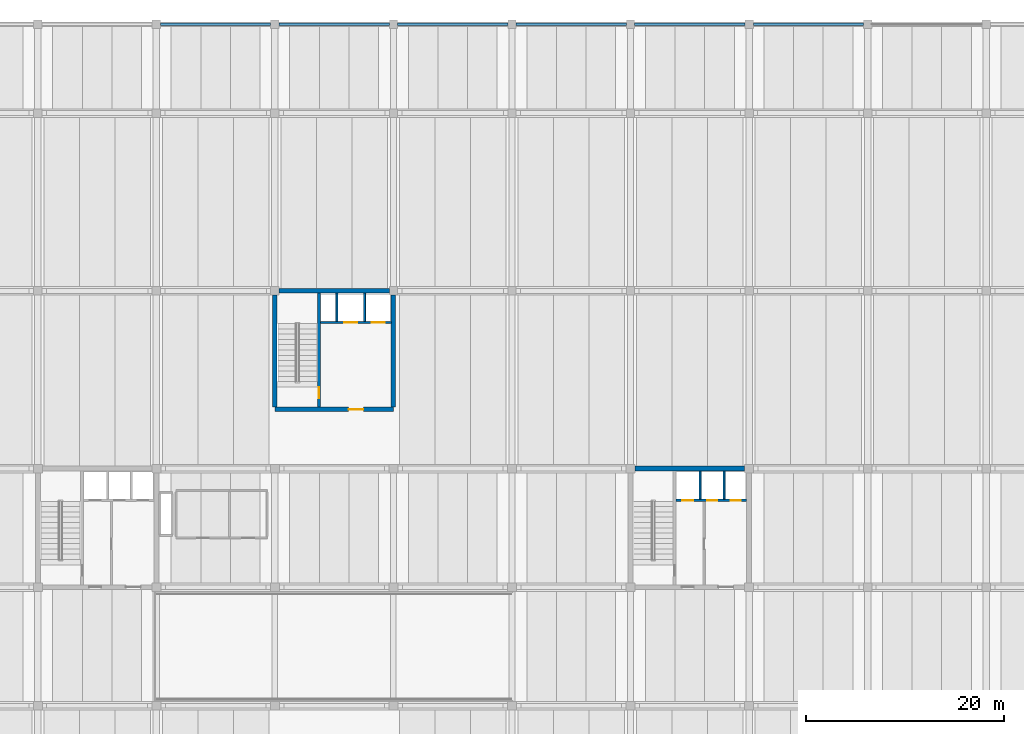
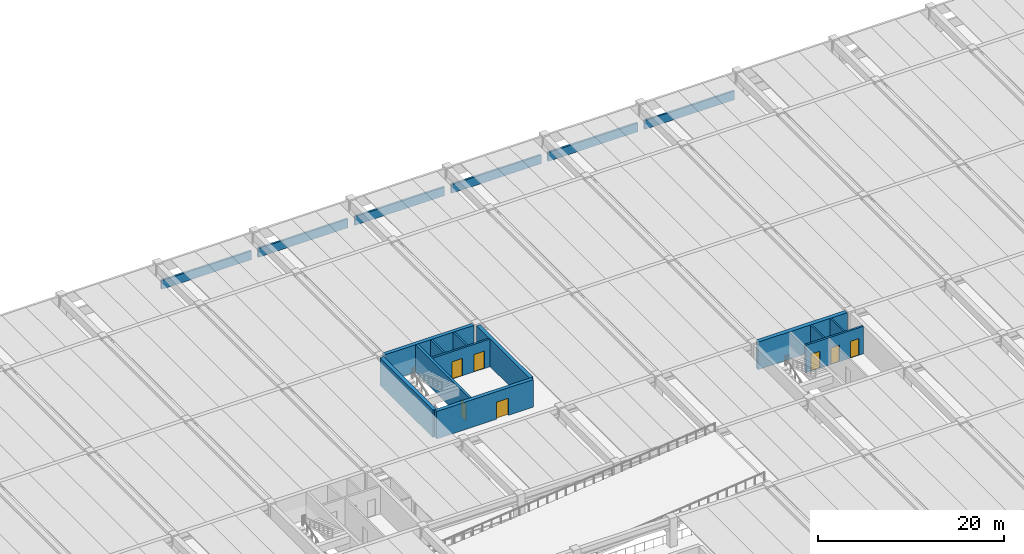
# One storey, part 11 of 19: 18 walls, 7 doors, 7 openings.
"""IFC4 building model written with IfcOpenShell, lengths in metres."""

from ifc_helpers import new_model, si_unit, direction, frame, frame_2d, origin, place, context, subcontext, project, spatial, rectangle, extrude, material, layer, layer_set, type_object, element, fill, save


model = new_model("IFC4")

# Units and contexts
model_context = context("Model", 3, precision=1e-05, world=origin(), true_north=direction((0.0, 1.0)))
body_context = subcontext(model_context, "Body", "Model", "MODEL_VIEW")
ifc_project = project(units=[si_unit("LENGTHUNIT", "METRE"), si_unit("AREAUNIT", "SQUARE_METRE"), si_unit("VOLUMEUNIT", "CUBIC_METRE"), si_unit("PLANEANGLEUNIT", "RADIAN"), si_unit("MASSUNIT", "GRAM", prefix="KILO")], contexts=[model_context])

# Site, building, storey
site_placement = place(None, origin())
site = spatial("IfcSite", under=ifc_project, at=site_placement, CompositionType="ELEMENT")
building_placement = place(site_placement, origin())
building = spatial("IfcBuilding", under=site, at=building_placement, Name="Girod Span Mobility Hub", CompositionType="ELEMENT")
storey_placement = place(building_placement, frame((0.0, 0.0, 13.39990234375)))
storey = spatial("IfcBuildingStorey", under=building, at=storey_placement, Name="L03", CompositionType="ELEMENT", Elevation=13.39990234375)

# Wall, opening, door
ifc_material_1 = material(Name="Concrete C40/50", Category="concrete")
ifc_layer_1 = layer(ifc_material_1, 0.449951171875)
ifc_layer_set_1 = layer_set([ifc_layer_1], Name="Concrete C40/50")
wall_type_1 = type_object("IfcWallType", Name="W-CW-450", PredefinedType="SHEAR", material=ifc_layer_set_1)
wall_1_placement = place(storey_placement, frame((72.0, 75.0, 0.0), z_axis=(0.0, 0.0, 1.0), x_axis=(1.0, 0.0, 0.0)))
wall_1 = element("IfcWall", 1, at=wall_1_placement, inside=storey, type_object=wall_type_1, Name="Core C4 Shear Wall S L03", PredefinedType="SHEAR", context=body_context, shape_type="SweptSolid", body=[
    extrude(rectangle(XDim=12.0, YDim=0.449951171875, at=frame_2d((6.0, 0.0))), origin(), (0.0, 0.0, 1.0), 3.6181640625),
])
opening_1_placement = place(wall_1_placement, frame((7.449951171875, 0.0, 0.0)))
opening_1 = element("IfcOpeningElement", 2, at=opening_1_placement, cuts=wall_1, Name="Opening D-LB-C4-L03", PredefinedType="OPENING", context=body_context, shape_type="SweptSolid", body=[
    extrude(rectangle(XDim=1.5, YDim=2.25, at=frame_2d((0.75, 1.125))), frame((0.0, 0.239990234375, 0.0), z_axis=(0.0, -1.0, 0.0), x_axis=(1.0, 0.0, 0.0)), (0.0, 0.0, 1.0), 0.47998046875),
])
ifc_material_2 = material(Name="Fire-Rated Insulated Hollow Metal Steel", Category="steel")
door_type_1 = type_object("IfcDoorType", Name="DT-FD-03", OperationType="DOUBLE_DOOR_SINGLE_SWING", PredefinedType="DOOR", material=ifc_material_2)
door_1_placement = place(opening_1_placement, origin())
door_1 = element("IfcDoor", 3, at=door_1_placement, inside=storey, type_object=door_type_1, Name="Core C4 Cargo Lift Lobby Door L03", OperationType="DOUBLE_DOOR_SINGLE_SWING", OverallHeight=2.25, OverallWidth=1.5, PredefinedType="DOOR", context=body_context, shape_type="SweptSolid", body=[
    extrude(rectangle(XDim=1.5, YDim=2.25, at=frame_2d((0.75, 1.125))), frame((0.0, 0.02490234375, 0.0), z_axis=(0.0, -1.0, 0.0), x_axis=(1.0, 0.0, 0.0)), (0.0, 0.0, 1.0), 0.050048828125),
])
fill(opening_1, door_1)

# Walls
wall_2_placement = place(storey_placement, frame((72.422119140625, 87.0, 0.0), z_axis=(0.0, 0.0, 1.0), x_axis=(1.0, 0.0, 0.0)))
element("IfcWall", 4, at=wall_2_placement, inside=storey, type_object=wall_type_1, Name="Core C4 Shear Wall N L03", PredefinedType="SHEAR", context=body_context, shape_type="SweptSolid", body=[
    extrude(rectangle(XDim=11.15576171875, YDim=0.449951171875, at=frame_2d((5.577880859375, 0.0))), origin(), (0.0, 0.0, 1.0), 3.6181640625),
])
for number, where, z_axis, x_axis, name in (
    (5, (72.0, 75.221923828125, 0.0), (0.0, 0.0, 1.0), (0.0, 1.0, 0.0), "Core C4 Shear Wall W L03"),
    (6, (84.0, 75.221923828125, 0.0), (0.0, 0.0, 1.0), (0.0, 1.0, 0.0), "Core C4 Shear Wall E L03"),
):
    element("IfcWall", number, at=place(storey_placement, frame(where, z_axis=z_axis, x_axis=x_axis)), inside=storey, type_object=wall_type_1, Name=name, PredefinedType="SHEAR", context=body_context, shape_type="SweptSolid", body=[
        extrude(rectangle(XDim=11.35595703125, YDim=0.449951171875, at=frame_2d((5.677978515625, 0.0))), origin(), (0.0, 0.0, 1.0), 3.6181640625),
    ])
ifc_material_3 = material(Name="Concrete C40/50", Category="concrete")
ifc_layer_2 = layer(ifc_material_3, 0.5)
ifc_layer_set_2 = layer_set([ifc_layer_2], Name="Concrete C40/50")
wall_type_2 = type_object("IfcWallType", Name="W-CW-500", PredefinedType="SHEAR", material=ifc_layer_set_2)
wall_3_placement = place(storey_placement, frame((108.447021484375, 69.0, 0.0), z_axis=(0.0, 0.0, 1.0), x_axis=(1.0, 0.0, 0.0)))
element("IfcWall", 7, at=wall_3_placement, inside=storey, type_object=wall_type_2, Name="Core C2 Shear Wall N L03", PredefinedType="SHEAR", context=body_context, shape_type="SweptSolid", body=[
    extrude(rectangle(XDim=11.10595703125, YDim=0.5, at=frame_2d((5.552978515625, 0.0))), origin(), (0.0, 0.0, 1.0), 3.6181640625),
])
ifc_material_4 = material(Name="Precast Architectural Concrete C40/50", Category="concrete")
ifc_layer_3 = layer(ifc_material_4, 0.239990234375)
ifc_layer_set_3 = layer_set([ifc_layer_3], Name="Precast Architectural Concrete C40/50")
wall_type_3 = type_object("IfcWallType", Name="W-PAR-240", PredefinedType="PARAPET", material=ifc_layer_set_3)
for number, where, z_axis, x_axis, name in (
    (8, (60.423095703125, 114.0, 0.0), (0.0, 0.0, 1.0), (1.0, 0.0, 0.0), "Precast Parking Barrier Parapet N-6 L03"),
    (9, (72.423095703125, 114.0, 0.0), (0.0, 0.0, 1.0), (1.0, 0.0, 0.0), "Precast Parking Barrier Parapet N-7 L03"),
    (10, (84.423095703125, 114.0, 0.0), (0.0, 0.0, 1.0), (1.0, 0.0, 0.0), "Precast Parking Barrier Parapet N-8 L03"),
    (11, (96.423095703125, 114.0, 0.0), (0.0, 0.0, 1.0), (1.0, 0.0, 0.0), "Precast Parking Barrier Parapet N-9 L03"),
    (12, (108.423095703125, 114.0, 0.0), (0.0, 0.0, 1.0), (1.0, 0.0, 0.0), "Precast Parking Barrier Parapet N-10 L03"),
    (13, (120.423095703125, 114.0, 0.0), (0.0, 0.0, 1.0), (1.0, 0.0, 0.0), "Precast Parking Barrier Parapet N-11 L03"),
):
    element("IfcWall", number, at=place(storey_placement, frame(where, z_axis=z_axis, x_axis=x_axis)), inside=storey, type_object=wall_type_3, Name=name, PredefinedType="PARAPET", context=body_context, shape_type="SweptSolid", body=[
        extrude(rectangle(XDim=11.15380859375, YDim=0.239990234375, at=frame_2d((5.576904296875, 0.0))), origin(), (0.0, 0.0, 1.0), 1.150146484375),
    ])
ifc_material_5 = material(Name="Concrete C40/50", Category="concrete")
ifc_layer_4 = layer(ifc_material_5, 0.199951171875)
ifc_layer_set_4 = layer_set([ifc_layer_4], Name="Concrete C40/50")
wall_type_4 = type_object("IfcWallType", Name="W-SH-200", PredefinedType="SOLIDWALL", material=ifc_layer_set_4)
for number, where, z_axis, x_axis, name in (
    (14, (115.050048828125, 65.919921875, 0.0), (0.0, 0.0, 1.0), (0.0, 1.0, 0.0), "Core C2 Shaft Divider 1 L03"),
    (15, (117.47998046875, 65.919921875, 0.0), (0.0, 0.0, 1.0), (0.0, 1.0, 0.0), "Core C2 Shaft Divider 2 L03"),
):
    element("IfcWall", number, at=place(storey_placement, frame(where, z_axis=z_axis, x_axis=x_axis)), inside=storey, type_object=wall_type_4, Name=name, PredefinedType="SOLIDWALL", context=body_context, shape_type="SweptSolid", body=[
        extrude(rectangle(XDim=2.830078125, YDim=0.199951171875, at=frame_2d((1.4150390625, 0.0))), origin(), (0.0, 0.0, 1.0), 3.608154296875),
    ])
for number, where, z_axis, x_axis, name in (
    (16, (78.280029296875, 83.919921875, 0.0), (0.0, 0.0, 1.0), (0.0, 1.0, 0.0), "Core C4 Shaft Divider 1 L03"),
    (17, (81.080078125, 83.919921875, 0.0), (0.0, 0.0, 1.0), (0.0, 1.0, 0.0), "Core C4 Shaft Divider 2 L03"),
):
    element("IfcWall", number, at=place(storey_placement, frame(where, z_axis=z_axis, x_axis=x_axis)), inside=storey, type_object=wall_type_4, Name=name, PredefinedType="SOLIDWALL", context=body_context, shape_type="SweptSolid", body=[
        extrude(rectangle(XDim=2.85498046875, YDim=0.199951171875, at=frame_2d((1.427490234375, 0.0))), origin(), (0.0, 0.0, 1.0), 3.608154296875),
    ])

# Wall, openings, doors
ifc_material_6 = material(Name="Concrete C40/50", Category="concrete")
ifc_layer_5 = layer(ifc_material_6, 0.25)
ifc_layer_set_5 = layer_set([ifc_layer_5], Name="Concrete C40/50")
wall_type_5 = type_object("IfcWallType", Name="W-SH-250", PredefinedType="SOLIDWALL", material=ifc_layer_set_5)
wall_4_placement = place(storey_placement, frame((112.596923828125, 65.800048828125, 0.0), z_axis=(0.0, 0.0, 1.0), x_axis=(1.0, 0.0, 0.0)))
wall_4 = element("IfcWall", 18, at=wall_4_placement, inside=storey, type_object=wall_type_5, Name="Core C2 Hoistway Front Wall L03", PredefinedType="SOLIDWALL", context=body_context, shape_type="SweptSolid", body=[
    extrude(rectangle(XDim=7.156005859375, YDim=0.25, at=frame_2d((3.578125, 0.0))), origin(), (0.0, 0.0, 1.0), 3.6181640625),
])
opening_2_placement = place(wall_4_placement, frame((0.653076171875, 0.0, 0.0)))
opening_2 = element("IfcOpeningElement", 19, at=opening_2_placement, cuts=wall_4, Name="Opening LD-FL-2-L03", PredefinedType="OPENING", context=body_context, shape_type="SweptSolid", body=[
    extrude(rectangle(XDim=1.10009765625, YDim=2.239990234375, at=frame_2d((0.550048828125, 1.1201171875))), frame((0.0, 0.139892578125, 0.0), z_axis=(0.0, -1.0, 0.0), x_axis=(1.0, 0.0, 0.0)), (0.0, 0.0, 1.0), 0.280029296875),
])
opening_3_placement = place(wall_4_placement, frame((3.153076171875, 0.0, 0.0)))
opening_3 = element("IfcOpeningElement", 20, at=opening_3_placement, cuts=wall_4, Name="Opening LD-LP-3-L03", PredefinedType="OPENING", context=body_context, shape_type="SweptSolid", body=[
    extrude(rectangle(XDim=1.050048828125, YDim=2.199951171875, at=frame_2d((0.52490234375, 1.10009765625))), frame((0.0, 0.139892578125, 0.0), z_axis=(0.0, -1.0, 0.0), x_axis=(1.0, 0.0, 0.0)), (0.0, 0.0, 1.0), 0.280029296875),
])
opening_4_placement = place(wall_4_placement, frame((5.528076171875, 0.0, 0.0)))
opening_4 = element("IfcOpeningElement", 21, at=opening_4_placement, cuts=wall_4, Name="Opening LD-LP-4-L03", PredefinedType="OPENING", context=body_context, shape_type="SweptSolid", body=[
    extrude(rectangle(XDim=1.050048828125, YDim=2.199951171875, at=frame_2d((0.52490234375, 1.10009765625))), frame((0.0, 0.139892578125, 0.0), z_axis=(0.0, -1.0, 0.0), x_axis=(1.0, 0.0, 0.0)), (0.0, 0.0, 1.0), 0.280029296875),
])
ifc_material_7 = material(Name="Brushed Stainless Steel Grade 304", Category="steel")
door_type_2 = type_object("IfcDoorType", Name="LD-FL-110", OperationType="SLIDING_TO_LEFT", PredefinedType="USERDEFINED", material=ifc_material_7)
door_2_placement = place(opening_2_placement, origin())
door_2 = element("IfcDoor", 22, at=door_2_placement, inside=storey, type_object=door_type_2, Name="Lift FL-2 Sliding Landing Door L03", ObjectType="LANDING DOOR", OperationType="SLIDING_TO_LEFT", OverallHeight=2.239990234375, OverallWidth=1.10009765625, PredefinedType="USERDEFINED", context=body_context, shape_type="SweptSolid", body=[
    extrude(rectangle(XDim=1.10009765625, YDim=2.239990234375, at=frame_2d((0.550048828125, 1.1201171875))), frame((0.0, 0.02490234375, 0.0), z_axis=(0.0, -1.0, 0.0), x_axis=(1.0, 0.0, 0.0)), (0.0, 0.0, 1.0), 0.050048828125),
])
fill(opening_2, door_2)
ifc_material_8 = material(Name="Brushed Stainless Steel Grade 304", Category="steel")
door_type_3 = type_object("IfcDoorType", Name="LD-LP-105", OperationType="SLIDING_TO_LEFT", PredefinedType="USERDEFINED", material=ifc_material_8)
door_3_placement = place(opening_3_placement, origin())
door_3 = element("IfcDoor", 23, at=door_3_placement, inside=storey, type_object=door_type_3, Name="Lift LP-3 Sliding Landing Door L03", ObjectType="LANDING DOOR", OperationType="SLIDING_TO_LEFT", OverallHeight=2.199951171875, OverallWidth=1.050048828125, PredefinedType="USERDEFINED", context=body_context, shape_type="SweptSolid", body=[
    extrude(rectangle(XDim=1.050048828125, YDim=2.199951171875, at=frame_2d((0.52490234375, 1.10009765625))), frame((0.0, 0.02490234375, 0.0), z_axis=(0.0, -1.0, 0.0), x_axis=(1.0, 0.0, 0.0)), (0.0, 0.0, 1.0), 0.050048828125),
])
fill(opening_3, door_3)
door_4_placement = place(opening_4_placement, origin())
door_4 = element("IfcDoor", 24, at=door_4_placement, inside=storey, type_object=door_type_3, Name="Lift LP-4 Sliding Landing Door L03", ObjectType="LANDING DOOR", OperationType="SLIDING_TO_LEFT", OverallHeight=2.199951171875, OverallWidth=1.050048828125, PredefinedType="USERDEFINED", context=body_context, shape_type="SweptSolid", body=[
    extrude(rectangle(XDim=1.050048828125, YDim=2.199951171875, at=frame_2d((0.52490234375, 1.10009765625))), frame((0.0, 0.02490234375, 0.0), z_axis=(0.0, -1.0, 0.0), x_axis=(1.0, 0.0, 0.0)), (0.0, 0.0, 1.0), 0.050048828125),
])
fill(opening_4, door_4)

wall_5_placement = place(storey_placement, frame((76.596923828125, 83.800048828125, 0.0), z_axis=(0.0, 0.0, 1.0), x_axis=(1.0, 0.0, 0.0)))
wall_5 = element("IfcWall", 25, at=wall_5_placement, inside=storey, type_object=wall_type_5, Name="Core C4 Hoistway Front Wall L03", PredefinedType="SOLIDWALL", context=body_context, shape_type="SweptSolid", body=[
    extrude(rectangle(XDim=7.18115234375, YDim=0.25, at=frame_2d((3.590576171875, 0.0))), origin(), (0.0, 0.0, 1.0), 3.6181640625),
])
opening_5_placement = place(wall_5_placement, frame((2.43310546875, 0.0, 0.0)))
opening_5 = element("IfcOpeningElement", 26, at=opening_5_placement, cuts=wall_5, Name="Opening LD-LB-1-L03", PredefinedType="OPENING", context=body_context, shape_type="SweptSolid", body=[
    extrude(rectangle(XDim=1.300048828125, YDim=2.280029296875, at=frame_2d((0.64990234375, 1.14013671875))), frame((0.0, 0.139892578125, 0.0), z_axis=(0.0, -1.0, 0.0), x_axis=(1.0, 0.0, 0.0)), (0.0, 0.0, 1.0), 0.280029296875),
])
opening_6_placement = place(wall_5_placement, frame((5.202880859375, 0.0, 0.0)))
opening_6 = element("IfcOpeningElement", 27, at=opening_6_placement, cuts=wall_5, Name="Opening LD-LB-2-L03", PredefinedType="OPENING", context=body_context, shape_type="SweptSolid", body=[
    extrude(rectangle(XDim=1.300048828125, YDim=2.280029296875, at=frame_2d((0.64990234375, 1.14013671875))), frame((0.0, 0.139892578125, 0.0), z_axis=(0.0, -1.0, 0.0), x_axis=(1.0, 0.0, 0.0)), (0.0, 0.0, 1.0), 0.280029296875),
])
ifc_material_9 = material(Name="Brushed Stainless Steel Grade 304", Category="steel")
door_type_4 = type_object("IfcDoorType", Name="LD-LB-130", OperationType="SLIDING_TO_LEFT", PredefinedType="USERDEFINED", material=ifc_material_9)
door_5_placement = place(opening_5_placement, origin())
door_5 = element("IfcDoor", 28, at=door_5_placement, inside=storey, type_object=door_type_4, Name="Lift LB-1 Sliding Landing Door L03", ObjectType="LANDING DOOR", OperationType="SLIDING_TO_LEFT", OverallHeight=2.280029296875, OverallWidth=1.300048828125, PredefinedType="USERDEFINED", context=body_context, shape_type="SweptSolid", body=[
    extrude(rectangle(XDim=1.300048828125, YDim=2.280029296875, at=frame_2d((0.64990234375, 1.14013671875))), frame((0.0, 0.02490234375, 0.0), z_axis=(0.0, -1.0, 0.0), x_axis=(1.0, 0.0, 0.0)), (0.0, 0.0, 1.0), 0.050048828125),
])
fill(opening_5, door_5)
door_6_placement = place(opening_6_placement, origin())
door_6 = element("IfcDoor", 29, at=door_6_placement, inside=storey, type_object=door_type_4, Name="Lift LB-2 Sliding Landing Door L03", ObjectType="LANDING DOOR", OperationType="SLIDING_TO_LEFT", OverallHeight=2.280029296875, OverallWidth=1.300048828125, PredefinedType="USERDEFINED", context=body_context, shape_type="SweptSolid", body=[
    extrude(rectangle(XDim=1.300048828125, YDim=2.280029296875, at=frame_2d((0.64990234375, 1.14013671875))), frame((0.0, 0.02490234375, 0.0), z_axis=(0.0, -1.0, 0.0), x_axis=(1.0, 0.0, 0.0)), (0.0, 0.0, 1.0), 0.050048828125),
])
fill(opening_6, door_6)

# Wall, opening, door
ifc_material_10 = material(Name="Concrete C40/50", Category="concrete")
ifc_layer_6 = layer(ifc_material_10, 0.300048828125)
ifc_layer_set_6 = layer_set([ifc_layer_6], Name="Concrete C40/50")
wall_type_6 = type_object("IfcWallType", Name="W-SH-300", PredefinedType="SHEAR", material=ifc_layer_set_6)
wall_6_placement = place(storey_placement, frame((76.449951171875, 75.221923828125, 0.0), z_axis=(0.0, 0.0, 1.0), x_axis=(0.0, 1.0, 0.0)))
wall_6 = element("IfcWall", 30, at=wall_6_placement, inside=storey, type_object=wall_type_6, Name="Core C4 Stairwell Spine Wall L03", PredefinedType="SHEAR", context=body_context, shape_type="SweptSolid", body=[
    extrude(rectangle(XDim=11.55615234375, YDim=0.300048828125, at=frame_2d((5.778076171875, 0.0))), origin(), (0.0, 0.0, 1.0), 3.6181640625),
])
opening_7_placement = place(wall_6_placement, frame((0.89990234375, 0.0, 0.0)))
opening_7 = element("IfcOpeningElement", 31, at=opening_7_placement, cuts=wall_6, Name="Opening D-ST-4-L03", PredefinedType="OPENING", context=body_context, shape_type="SweptSolid", body=[
    extrude(rectangle(XDim=1.10009765625, YDim=2.199951171875, at=frame_2d((0.550048828125, 1.10009765625))), frame((0.0, 0.1650390625, 0.0), z_axis=(0.0, -1.0, 0.0), x_axis=(1.0, 0.0, 0.0)), (0.0, 0.0, 1.0), 0.330078125),
])
ifc_material_11 = material(Name="Fire-Rated Insulated Hollow Metal Steel", Category="steel")
door_type_5 = type_object("IfcDoorType", Name="DT-FD-01", OperationType="NOTDEFINED", PredefinedType="DOOR", material=ifc_material_11)
door_7_placement = place(opening_7_placement, origin())
door_7 = element("IfcDoor", 32, at=door_7_placement, inside=storey, type_object=door_type_5, Name="Stair ST-4 Fire Door L03", OperationType="SINGLE_SWING_LEFT", OverallHeight=2.199951171875, OverallWidth=1.10009765625, PredefinedType="DOOR", context=body_context, shape_type="SweptSolid", body=[
    extrude(rectangle(XDim=1.10009765625, YDim=2.199951171875, at=frame_2d((0.550048828125, 1.10009765625))), frame((0.0, 0.02490234375, 0.0), z_axis=(0.0, -1.0, 0.0), x_axis=(1.0, 0.0, 0.0)), (0.0, 0.0, 1.0), 0.050048828125),
])
fill(opening_7, door_7)

save(model, "model.ifc")
